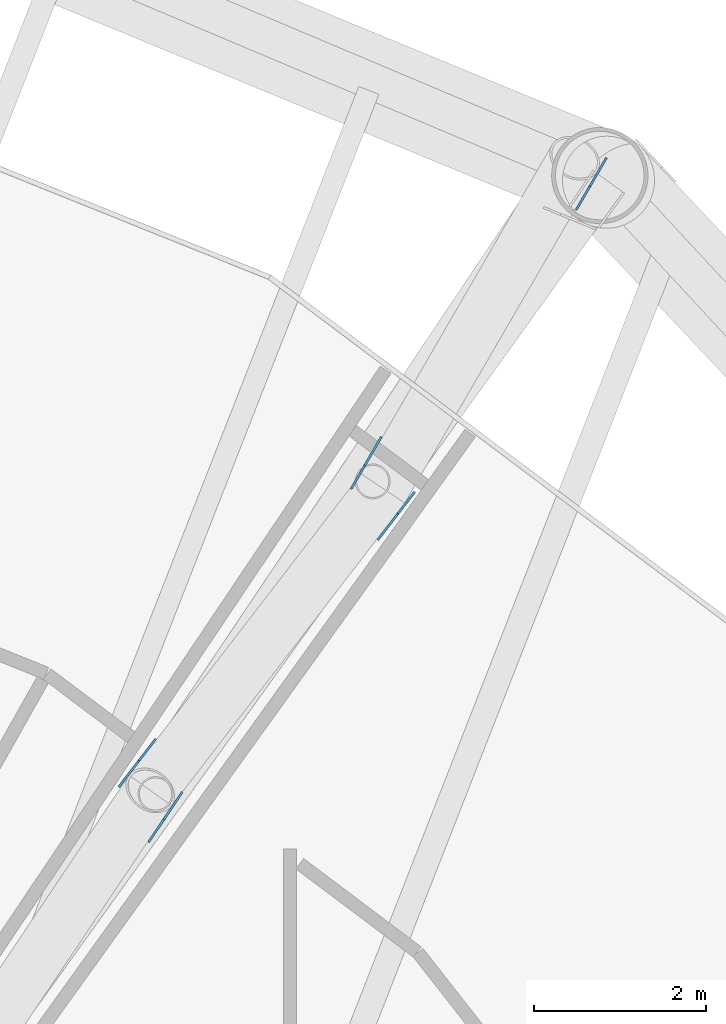
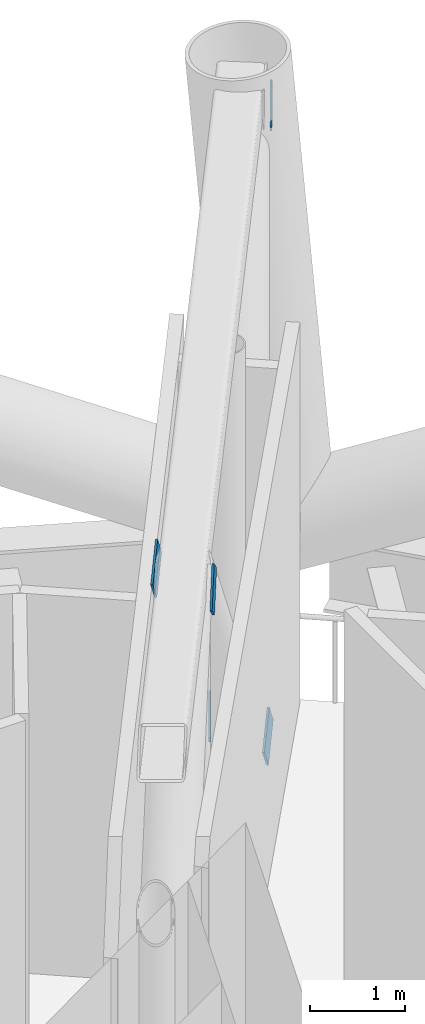
# One storey, part 19 of 36: 5 discrete accessories.
"""IFC4 building model written with IfcOpenShell, lengths in metres."""

from ifc_helpers import new_model, si_unit, direction, frame, origin, origin_2d, place, context, subcontext, project, spatial, rectangle, extrude, material, material_profile, profile_set, type_object, element, save


model = new_model("IFC4")

# Units and contexts
model_context = context("Model", 3, precision=1e-05, world=origin(), true_north=direction((0.0, 1.0)))
body_context = subcontext(model_context, "Body", "Model", "MODEL_VIEW")
ifc_project = project(units=[si_unit("LENGTHUNIT", "METRE"), si_unit("AREAUNIT", "SQUARE_METRE"), si_unit("VOLUMEUNIT", "CUBIC_METRE"), si_unit("PLANEANGLEUNIT", "RADIAN"), si_unit("MASSUNIT", "GRAM", prefix="KILO")], contexts=[model_context])

# Site, building, storey
site_placement = place(None, origin())
site = spatial("IfcSite", under=ifc_project, at=site_placement, CompositionType="ELEMENT")
building_placement = place(site_placement, origin())
building = spatial("IfcBuilding", under=site, at=building_placement, Name="Tarsis Ring Headquarters", CompositionType="ELEMENT")
storey_placement = place(building_placement, frame((0.0, 0.0, 194.39990234375)))
storey = spatial("IfcBuildingStorey", under=building, at=storey_placement, Name="L45", CompositionType="ELEMENT", Elevation=194.39990234375)

# Discrete accessories
ifc_material = material(Name="Structural steel S355", Category="steel")
ifc_material_profile = material_profile(ifc_material, rectangle(XDim=0.02490234375, YDim=0.5, at=origin_2d()), Name="PL 25x500")
ifc_profile_set = profile_set([ifc_material_profile], Name="Structural steel S355")
discrete_accessory_type = type_object("IfcDiscreteAccessoryType", Name="Gusset plate Outrigger 25", PredefinedType="BRACKET", material=ifc_profile_set)
for number, where, z_axis, x_axis, name in (
    (1, (11.639892578125, 16.501708984375, 5.586181640625), (-0.355851758308, -0.530604747985, -0.769303664052), (0.830519043209, -0.55699023229, 0.0), "Gusset plate GP1"),
    (2, (11.125, 16.8720703125, 5.586181640625), (0.390036021592, 0.506705119415, -0.768844473101), (-0.792425288723, 0.609968984287, 0.0), "Gusset plate GP1"),
):
    element("IfcDiscreteAccessory", number, at=place(storey_placement, frame(where, z_axis=z_axis, x_axis=x_axis)), inside=storey, type_object=discrete_accessory_type, Name=name, PredefinedType="BRACKET", context=body_context, shape_type="SweptSolid", body=[
        extrude(rectangle(XDim=0.02490234375, YDim=0.5, at=origin_2d()), origin(), (0.0, 0.0, 1.0), 0.500244140625),
    ])
for number, where, z_axis, x_axis, name in (
    (3, (14.333251953125, 19.999755859375, 0.254150390625), (-0.390279017788, -0.506532342236, 0.768835011263), (0.792140992782, -0.610338141979, 0.0), "Gusset plate GP1"),
    (4, (13.807373046875, 20.352783203125, 0.254150390625), (0.321416372859, 0.553441869983, 0.76837075153), (-0.86474617851, 0.502209166337, 0.0), "Gusset plate GP1"),
):
    element("IfcDiscreteAccessory", number, at=place(storey_placement, frame(where, z_axis=z_axis, x_axis=x_axis)), inside=storey, type_object=discrete_accessory_type, Name=name, PredefinedType="BRACKET", context=body_context, shape_type="SweptSolid", body=[
        extrude(rectangle(XDim=0.02490234375, YDim=0.5, at=origin_2d()), origin(), (0.0, 0.0, 1.0), 0.499755859375),
    ])
discrete_accessory_placement = place(storey_placement, frame((16.586669921875, 23.876220703125, 5.586181640625), z_axis=(-0.32120896752, -0.55357290147, -0.768363092517), x_axis=(0.864938486882, -0.50187788745, 0.0)))
element("IfcDiscreteAccessory", 5, at=discrete_accessory_placement, inside=storey, type_object=discrete_accessory_type, Name="Gusset plate GP1", PredefinedType="BRACKET", context=body_context, shape_type="SweptSolid", body=[
    extrude(rectangle(XDim=0.02490234375, YDim=0.5, at=origin_2d()), origin(), (0.0, 0.0, 1.0), 0.500244140625),
])

save(model, "model.ifc")
